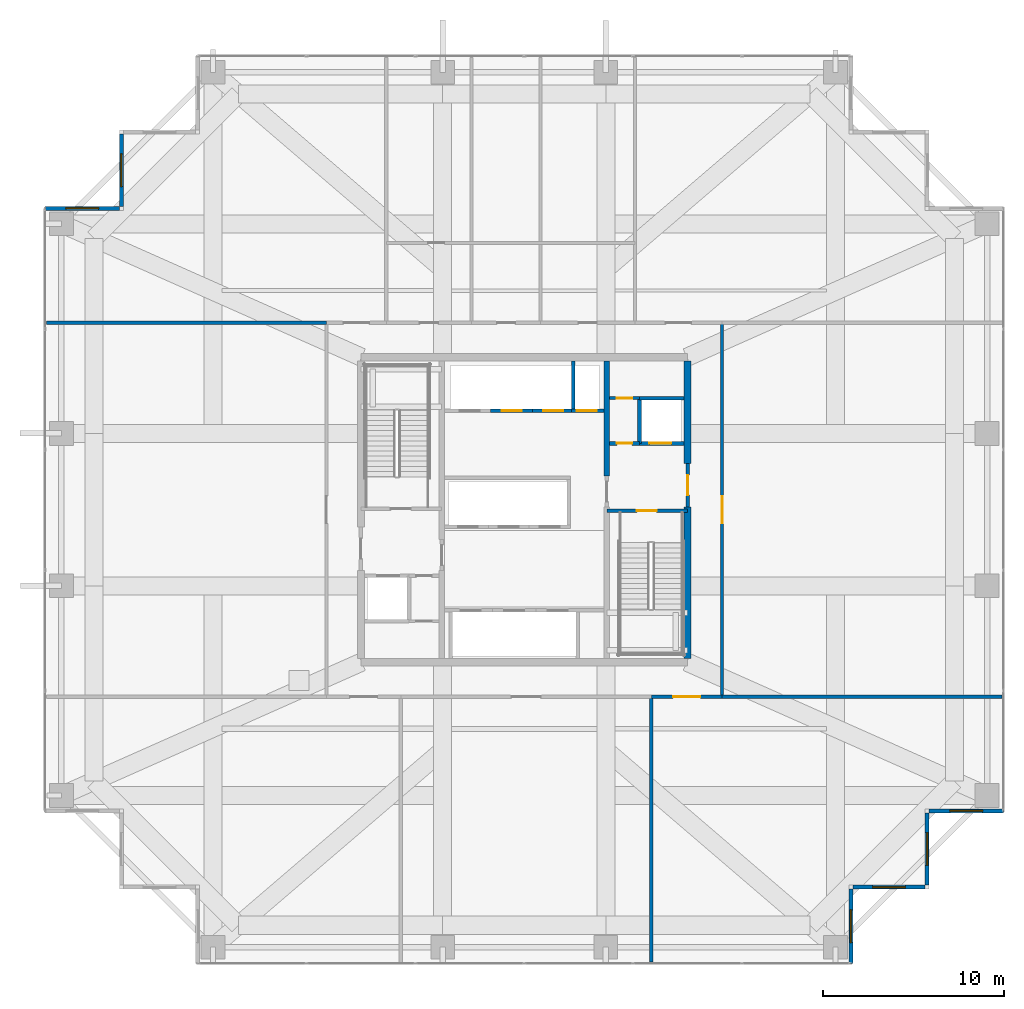
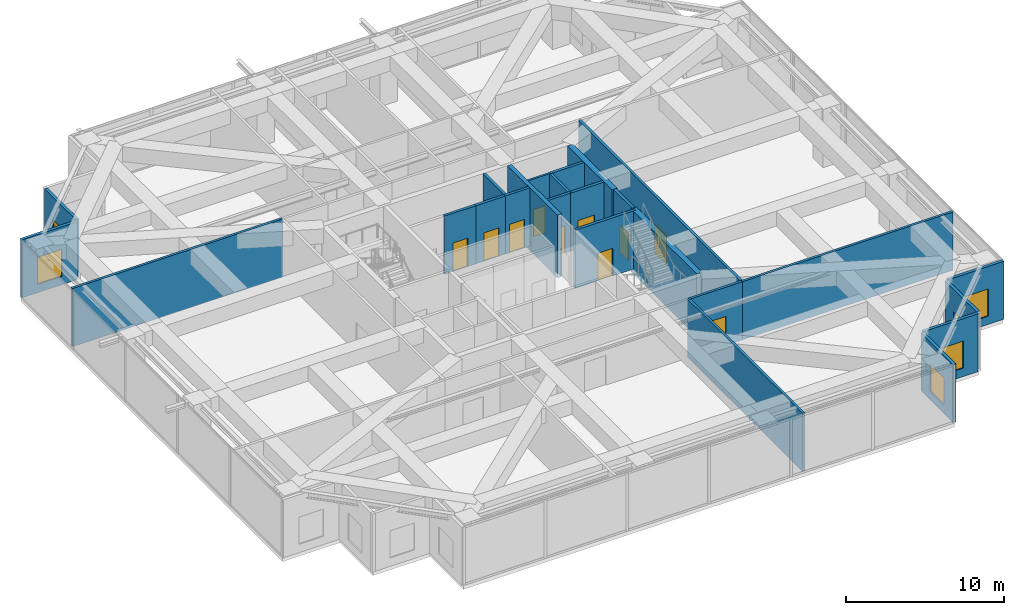
# One storey, part 29 of 35: 25 walls, 10 doors, 6 windows, 16 openings.
"""IFC4 building model written with IfcOpenShell, lengths in metres."""

import ifcopenshell
import ifcopenshell.guid

model = None  # the IFC model being written
_history = None  # IfcOwnerHistory: only IFC2X3 demands one
_inside = {}  # id of a spatial element -> (the spatial element, [elements in it])
_under = {}  # id of a project, library or spatial element -> (it, [spatial elements below it])
_declared = {}  # id of a project -> (the project, [libraries it declares])
_typed = {}  # id of a type object -> (the type object, [elements of that type])
_made_of = {}  # id of a material, layer set ... -> (it, [elements and type objects made of it])


def new_model(schema):
    """Start an empty IFC model of exactly this schema.

    Asked for "IFC4X3", IfcOpenShell would pick the latest addendum, in which some entities
    have other attributes; the version numbers below select the first issue.
    IFC2X3 requires an IfcOwnerHistory on every rooted entity: one is made here for all.
    """
    global model, _history
    if schema == "IFC4X3":
        model = ifcopenshell.file(schema_version=(4, 3, 0, 0))
    else:
        model = ifcopenshell.file(schema=schema)
    _inside.clear()
    _under.clear()
    _declared.clear()
    _typed.clear()
    _made_of.clear()
    _history = None
    if model.schema == "IFC2X3":
        org = make("IfcOrganization", Name="unknown")
        user = make(
            "IfcPersonAndOrganization",
            ThePerson=make("IfcPerson", FamilyName="unknown"),
            TheOrganization=org,
        )
        app = make(
            "IfcApplication",
            ApplicationDeveloper=org,
            Version="unknown",
            ApplicationFullName="unknown",
            ApplicationIdentifier="unknown",
        )
        _history = make(
            "IfcOwnerHistory",
            OwningUser=user,
            OwningApplication=app,
            ChangeAction="ADDED",
            CreationDate=0,
        )
    return model


def make(cls, **values):
    """One entity of the class cls with the attributes given. An attribute that is None is left unset."""
    return model.create_entity(
        cls, **{name: value for name, value in values.items() if value is not None}
    )


def rooted(cls, **values):
    """An entity with a GlobalId (a new one), such as an element, a storey or a relation."""
    return make(cls, GlobalId=ifcopenshell.guid.new(), OwnerHistory=_history, **values)


def si_unit(unit_type, name, prefix=None):
    """IfcSIUnit, for example si_unit("LENGTHUNIT", "METRE", prefix="MILLI")."""
    return make("IfcSIUnit", UnitType=unit_type, Prefix=prefix, Name=name)


def assignment(units):
    """IfcUnitAssignment: the units of a project."""
    return None if units is None else make("IfcUnitAssignment", Units=units)


def point(xyz):
    """IfcCartesianPoint."""
    return None if xyz is None else make("IfcCartesianPoint", Coordinates=xyz)


def direction(xyz):
    """IfcDirection."""
    return None if xyz is None else make("IfcDirection", DirectionRatios=xyz)


def frame(location, z_axis=None, x_axis=None):
    """IfcAxis2Placement3D, a coordinate frame: its origin and axes. An axis left out is left unset."""
    return make(
        "IfcAxis2Placement3D",
        Location=point(location),
        Axis=direction(z_axis),
        RefDirection=direction(x_axis),
    )


def frame_2d(location, x_axis=None):
    """IfcAxis2Placement2D, a coordinate frame in the plane: its origin and x axis."""
    return make(
        "IfcAxis2Placement2D", Location=point(location), RefDirection=direction(x_axis)
    )


def origin():
    """The frame at (0, 0, 0) with its axes left unset."""
    return frame((0.0, 0.0, 0.0))


def place(relative_to, where):
    """IfcLocalPlacement: puts the frame where relative to a parent placement (None: the world)."""
    return make(
        "IfcLocalPlacement", PlacementRelTo=relative_to, RelativePlacement=where
    )


def context(
    kind, dimensions, precision=None, world=None, true_north=None, identifier=None
):
    """IfcGeometricRepresentationContext, for example the 3D "Model" context."""
    return make(
        "IfcGeometricRepresentationContext",
        ContextIdentifier=identifier,
        ContextType=kind,
        CoordinateSpaceDimension=dimensions,
        Precision=precision,
        WorldCoordinateSystem=world,
        TrueNorth=true_north,
    )


def subcontext(parent, identifier, kind, view, scale=None):
    """IfcGeometricRepresentationSubContext, for example "Body" below "Model"."""
    return make(
        "IfcGeometricRepresentationSubContext",
        ContextIdentifier=identifier,
        ContextType=kind,
        ParentContext=parent,
        TargetScale=scale,
        TargetView=view,
    )


def project(units=None, contexts=None):
    """IfcProject with its units and contexts."""
    return rooted(
        "IfcProject",
        Name="project",
        RepresentationContexts=contexts,
        UnitsInContext=assignment(units),
    )


def spatial(cls, under=None, at=None, **own):
    """A site, building, storey or space (cls), placed at a placement, below another one or the project."""
    s = rooted(cls, ObjectPlacement=at, **own)
    if under is not None:
        _under.setdefault(under.id(), (under, []))[1].append(s)
    return s


def profile(cls, at=None, kind="AREA", **sizes):
    """A parametric profile (cls). Its sizes go by their IFC names, for example OverallWidth=200.0."""
    return make(cls, ProfileType=kind, Position=at, **sizes)


def rectangle(**sizes):
    """IfcRectangleProfileDef."""
    return profile("IfcRectangleProfileDef", **sizes)


def extrude(swept, where, along, depth):
    """IfcExtrudedAreaSolid: the profile swept, set in the frame where, extruded along a direction by depth."""
    return make(
        "IfcExtrudedAreaSolid",
        SweptArea=swept,
        Position=where,
        ExtrudedDirection=direction(along),
        Depth=depth,
    )


def shape(context_of_items, identifier, shape_type, items):
    """IfcShapeRepresentation: the items that make up one representation, for example the "Body"."""
    return make(
        "IfcShapeRepresentation",
        ContextOfItems=context_of_items,
        RepresentationIdentifier=identifier,
        RepresentationType=shape_type,
        Items=items,
    )


def source(mapping_origin, context_of_items, identifier, shape_type, items):
    """IfcRepresentationMap: a shape defined once, which mapped items show again and again."""
    return make(
        "IfcRepresentationMap",
        MappingOrigin=mapping_origin,
        MappedRepresentation=shape(context_of_items, identifier, shape_type, items),
    )


def transform(
    local_origin,
    x_axis=None,
    y_axis=None,
    z_axis=None,
    scale=None,
    scale2=None,
    scale3=None,
    uniform=True,
):
    """IfcCartesianTransformationOperator3D, or its non-uniform kind. x_axis, y_axis, z_axis: its Axis1, 2, 3."""
    if uniform:
        return make(
            "IfcCartesianTransformationOperator3D",
            Axis1=direction(x_axis),
            Axis2=direction(y_axis),
            LocalOrigin=point(local_origin),
            Scale=scale,
            Axis3=direction(z_axis),
        )
    return make(
        "IfcCartesianTransformationOperator3DnonUniform",
        Axis1=direction(x_axis),
        Axis2=direction(y_axis),
        LocalOrigin=point(local_origin),
        Scale=scale,
        Axis3=direction(z_axis),
        Scale2=scale2,
        Scale3=scale3,
    )


def mapped(mapping_source, mapping_target):
    """IfcMappedItem: shows the shape of a source again, moved by a transform."""
    return make(
        "IfcMappedItem", MappingSource=mapping_source, MappingTarget=mapping_target
    )


def material(Name=None, Category=None):
    """IfcMaterial."""
    return make("IfcMaterial", Name=Name, Category=Category)


def layer(
    of_material, thickness, ventilated=None, Name=None, Category=None, Priority=None
):
    """IfcMaterialLayer: one layer of a wall or slab, of a material (None: an air gap)."""
    return make(
        "IfcMaterialLayer",
        Material=of_material,
        LayerThickness=thickness,
        IsVentilated=ventilated,
        Name=Name,
        Category=Category,
        Priority=Priority,
    )


def layer_set(layers, Name=None):
    """IfcMaterialLayerSet."""
    return make("IfcMaterialLayerSet", MaterialLayers=layers, LayerSetName=Name)


def made_of(thing, what):
    """Note that an element or type object is made of a material, layer set ...; save() writes the relation."""
    if what is not None:
        _made_of.setdefault(what.id(), (what, []))[1].append(thing)
    return thing


def type_object(cls, material=None, **own):
    """A type object (cls), such as IfcWallType, which elements share."""
    return made_of(rooted(cls, **own), material)


def element(
    cls,
    number,
    at=None,
    inside=None,
    cuts=None,
    type_object=None,
    material=None,
    context=None,
    identifier="Body",
    shape_type=None,
    held_by="IfcProductDefinitionShape",
    body=None,
    shapes=None,
    **own,
):
    """One element of the class cls, such as IfcWall. Its Tag is "e" and its number.

    at: its placement. inside: the storey or other place that contains it. cuts: it is an
    opening in that element (IfcRelVoidsElement). A single representation is given by context,
    identifier, shape_type and body (its items); several are given by shapes. held_by: the class
    of the entity that holds the representations. save() writes the other relations.
    """
    e = rooted(cls, Tag="e%d" % number, ObjectPlacement=at, **own)
    if body is not None:
        shapes = [shape(context, identifier, shape_type, body)]
    if shapes is not None:
        e.Representation = make(held_by, Representations=shapes)
    if inside is not None:
        _inside.setdefault(inside.id(), (inside, []))[1].append(e)
    if cuts is not None:
        rooted(
            "IfcRelVoidsElement", RelatingBuildingElement=cuts, RelatedOpeningElement=e
        )
    if type_object is not None:
        _typed.setdefault(type_object.id(), (type_object, []))[1].append(e)
    return made_of(e, material)


def fill(opening, filler):
    """IfcRelFillsElement: the door or window that sits in an opening."""
    return rooted(
        "IfcRelFillsElement",
        RelatingOpeningElement=opening,
        RelatedBuildingElement=filler,
    )


def aggregate(whole, parts):
    """IfcRelAggregates: a whole, such as a stair, and the parts it consists of."""
    return rooted("IfcRelAggregates", RelatingObject=whole, RelatedObjects=parts)


def save(model, path):
    """Write the relations noted so far, then the file.

    IfcRelAggregates (storeys below a building ...), IfcRelContainedInSpatialStructure (elements
    in a storey), IfcRelDefinesByType, IfcRelAssociatesMaterial and IfcRelDeclares: one each for
    every whole, place, type object, material and project.
    """
    for whole, parts in _under.values():
        aggregate(whole, parts)
    for where, things in _inside.values():
        rooted(
            "IfcRelContainedInSpatialStructure",
            RelatedElements=things,
            RelatingStructure=where,
        )
    for kind, things in _typed.values():
        rooted("IfcRelDefinesByType", RelatedObjects=things, RelatingType=kind)
    for what, things in _made_of.values():
        rooted("IfcRelAssociatesMaterial", RelatedObjects=things, RelatingMaterial=what)
    for by, libraries in _declared.values():
        rooted("IfcRelDeclares", RelatingContext=by, RelatedDefinitions=libraries)
    model.write(path)


model = new_model("IFC4")

# Units and contexts
model_context = context("Model", 3, precision=1e-05, world=origin(), true_north=direction((0.0, 1.0)))
body_context = subcontext(model_context, "Body", "Model", "MODEL_VIEW")
ifc_project = project(units=[si_unit("LENGTHUNIT", "METRE"), si_unit("AREAUNIT", "SQUARE_METRE"), si_unit("VOLUMEUNIT", "CUBIC_METRE"), si_unit("PLANEANGLEUNIT", "RADIAN"), si_unit("MASSUNIT", "GRAM", prefix="KILO")], contexts=[model_context])

# Site, building, storey
site_placement = place(None, origin())
site = spatial("IfcSite", under=ifc_project, at=site_placement, CompositionType="ELEMENT")
building_placement = place(site_placement, origin())
building = spatial("IfcBuilding", under=site, at=building_placement, Name="Serunith Strait Residences", CompositionType="ELEMENT")
storey_placement = place(building_placement, frame((0.0, 0.0, 115.199951171875)))
storey = spatial("IfcBuildingStorey", under=building, at=storey_placement, Name="L28", CompositionType="ELEMENT", Elevation=115.199951171875)

# Wall, opening, window
ifc_material_1 = material(Name="Pale-Champagne Aluminium Insulated Panel", Category="aluminium")
ifc_layer_1 = layer(ifc_material_1, 0.219970703125, Name="Pale-Champagne Aluminium Insulated Panel")
ifc_layer_set_1 = layer_set([ifc_layer_1], Name="Pale-Champagne Aluminium Insulated Panel")
wall_type_1 = type_object("IfcWallType", Name="EW-ALUM-220", PredefinedType="ELEMENTEDWALL", material=ifc_layer_set_1)
wall_1_placement = place(storey_placement, frame((50.39990234375, 0.199951171875, 0.0), z_axis=(0.0, 0.0, 1.0), x_axis=(0.0, 1.0, 0.0)))
wall_1 = element("IfcWall", 1, at=wall_1_placement, inside=storey, type_object=wall_type_1, Name="L28 Girih Serrated Corner Wall 02", PredefinedType="ELEMENTEDWALL", context=body_context, shape_type="SweptSolid", body=[
    extrude(rectangle(XDim=4.090087890625, YDim=0.219970703125, at=frame_2d((2.044921875, 0.0))), origin(), (0.0, 0.0, 1.0), 4.4951171875),
])
opening_1_placement = place(wall_1_placement, frame((1.14501953125, 0.0, 0.64990234375)))
opening_1 = element("IfcOpeningElement", 2, at=opening_1_placement, cuts=wall_1, Name="Opening W-01", PredefinedType="OPENING", context=body_context, shape_type="SweptSolid", body=[
    extrude(rectangle(XDim=1.800048828125, YDim=2.10009765625, at=frame_2d((0.89990234375, 1.050048828125))), frame((0.0, 0.1201171875, 0.0), z_axis=(0.0, -1.0, 0.0), x_axis=(1.0, 0.0, 0.0)), (0.0, 0.0, 1.0), 0.239990234375),
])
ifc_material_2 = material(Name="Ceramic-Fritted Operable Aluminium Window Glass", Category="aluminium")
window_type = type_object("IfcWindowType", Name="WIN-C1", PartitioningType="DOUBLE_PANEL_VERTICAL", PredefinedType="WINDOW", material=ifc_material_2)
shared_shape_1 = source(origin(), body_context, "Body", "SweptSolid", [
    extrude(rectangle(XDim=1.800048828125, YDim=2.10009765625, at=frame_2d((0.89990234375, 1.050048828125))), frame((0.0, 0.030029296875, 0.0), z_axis=(0.0, -1.0, 0.0), x_axis=(1.0, 0.0, 0.0)), (0.0, 0.0, 1.0), 0.06005859375),
])
window_1_placement = place(opening_1_placement, origin())
window_1 = element("IfcWindow", 3, at=window_1_placement, inside=storey, type_object=window_type, Name="L28 Corner Operable Fritted Window 02", OverallHeight=2.10009765625, OverallWidth=1.800048828125, PartitioningType="SINGLE_PANEL", PredefinedType="WINDOW", context=body_context, shape_type="MappedRepresentation", body=[
    mapped(shared_shape_1, transform((0.0, 0.0, 0.0), scale=1.0)),
])
fill(opening_1, window_1)

wall_2_placement = place(storey_placement, frame((50.510009765625, 4.39990234375, 0.0), z_axis=(0.0, 0.0, 1.0), x_axis=(1.0, 0.0, 0.0)))
wall_2 = element("IfcWall", 4, at=wall_2_placement, inside=storey, type_object=wall_type_1, Name="L28 Girih Serrated Corner Wall 03", PredefinedType="ELEMENTEDWALL", context=body_context, shape_type="SweptSolid", body=[
    extrude(rectangle(XDim=3.97998046875, YDim=0.219970703125, at=frame_2d((1.989990234375, 0.0))), origin(), (0.0, 0.0, 1.0), 4.4951171875),
])
opening_2_placement = place(wall_2_placement, frame((1.090087890625, 0.0, 0.64990234375)))
opening_2 = element("IfcOpeningElement", 5, at=opening_2_placement, cuts=wall_2, Name="Opening W-01", PredefinedType="OPENING", context=body_context, shape_type="SweptSolid", body=[
    extrude(rectangle(XDim=1.800048828125, YDim=2.10009765625, at=frame_2d((0.89990234375, 1.050048828125))), frame((0.0, 0.1201171875, 0.0), z_axis=(0.0, -1.0, 0.0), x_axis=(1.0, 0.0, 0.0)), (0.0, 0.0, 1.0), 0.239990234375),
])
window_2_placement = place(opening_2_placement, origin())
window_2 = element("IfcWindow", 6, at=window_2_placement, inside=storey, type_object=window_type, Name="L28 Corner Operable Fritted Window 03", OverallHeight=2.10009765625, OverallWidth=1.800048828125, PartitioningType="SINGLE_PANEL", PredefinedType="WINDOW", context=body_context, shape_type="MappedRepresentation", body=[
    mapped(shared_shape_1, transform((0.0, 0.0, 0.0), scale=1.0)),
])
fill(opening_2, window_2)

wall_3_placement = place(storey_placement, frame((54.60009765625, 4.510009765625, 0.0), z_axis=(0.0, 0.0, 1.0), x_axis=(0.0, 1.0, 0.0)))
wall_3 = element("IfcWall", 7, at=wall_3_placement, inside=storey, type_object=wall_type_1, Name="L28 Girih Serrated Corner Wall 04", PredefinedType="ELEMENTEDWALL", context=body_context, shape_type="SweptSolid", body=[
    extrude(rectangle(XDim=3.97998046875, YDim=0.219970703125, at=frame_2d((1.989990234375, 0.0))), origin(), (0.0, 0.0, 1.0), 4.4951171875),
])
opening_3_placement = place(wall_3_placement, frame((1.090087890625, 0.0, 0.64990234375)))
opening_3 = element("IfcOpeningElement", 8, at=opening_3_placement, cuts=wall_3, Name="Opening W-01", PredefinedType="OPENING", context=body_context, shape_type="SweptSolid", body=[
    extrude(rectangle(XDim=1.800048828125, YDim=2.10009765625, at=frame_2d((0.89990234375, 1.050048828125))), frame((0.0, 0.1201171875, 0.0), z_axis=(0.0, -1.0, 0.0), x_axis=(1.0, 0.0, 0.0)), (0.0, 0.0, 1.0), 0.239990234375),
])
window_3_placement = place(opening_3_placement, origin())
window_3 = element("IfcWindow", 9, at=window_3_placement, inside=storey, type_object=window_type, Name="L28 Corner Operable Fritted Window 04", OverallHeight=2.10009765625, OverallWidth=1.800048828125, PartitioningType="SINGLE_PANEL", PredefinedType="WINDOW", context=body_context, shape_type="MappedRepresentation", body=[
    mapped(shared_shape_1, transform((0.0, 0.0, 0.0), scale=1.0)),
])
fill(opening_3, window_3)

wall_4_placement = place(storey_placement, frame((54.7099609375, 8.60009765625, 0.0), z_axis=(0.0, 0.0, 1.0), x_axis=(1.0, 0.0, 0.0)))
wall_4 = element("IfcWall", 10, at=wall_4_placement, inside=storey, type_object=wall_type_1, Name="L28 Girih Serrated Corner Wall 05", PredefinedType="ELEMENTEDWALL", context=body_context, shape_type="SweptSolid", body=[
    extrude(rectangle(XDim=4.090087890625, YDim=0.219970703125, at=frame_2d((2.044921875, 0.0))), origin(), (0.0, 0.0, 1.0), 4.4951171875),
])
opening_4_placement = place(wall_4_placement, frame((1.14501953125, 0.0, 0.64990234375)))
opening_4 = element("IfcOpeningElement", 11, at=opening_4_placement, cuts=wall_4, Name="Opening W-01", PredefinedType="OPENING", context=body_context, shape_type="SweptSolid", body=[
    extrude(rectangle(XDim=1.800048828125, YDim=2.10009765625, at=frame_2d((0.89990234375, 1.050048828125))), frame((0.0, 0.1201171875, 0.0), z_axis=(0.0, -1.0, 0.0), x_axis=(1.0, 0.0, 0.0)), (0.0, 0.0, 1.0), 0.239990234375),
])
window_4_placement = place(opening_4_placement, origin())
window_4 = element("IfcWindow", 12, at=window_4_placement, inside=storey, type_object=window_type, Name="L28 Corner Operable Fritted Window 05", OverallHeight=2.10009765625, OverallWidth=1.800048828125, PartitioningType="SINGLE_PANEL", PredefinedType="WINDOW", context=body_context, shape_type="MappedRepresentation", body=[
    mapped(shared_shape_1, transform((0.0, 0.0, 0.0), scale=1.0)),
])
fill(opening_4, window_4)

wall_5_placement = place(storey_placement, frame((10.199951171875, 45.889892578125, 0.0), z_axis=(0.0, 0.0, 1.0), x_axis=(0.0, -1.0, 0.0)))
wall_5 = element("IfcWall", 13, at=wall_5_placement, inside=storey, type_object=wall_type_1, Name="L28 Girih Serrated Corner Wall 14", PredefinedType="ELEMENTEDWALL", context=body_context, shape_type="SweptSolid", body=[
    extrude(rectangle(XDim=3.97998046875, YDim=0.219970703125, at=frame_2d((1.989990234375, 0.0))), origin(), (0.0, 0.0, 1.0), 4.4951171875),
])
opening_5_placement = place(wall_5_placement, frame((1.090087890625, 0.0, 0.64990234375)))
opening_5 = element("IfcOpeningElement", 14, at=opening_5_placement, cuts=wall_5, Name="Opening W-01", PredefinedType="OPENING", context=body_context, shape_type="SweptSolid", body=[
    extrude(rectangle(XDim=1.800048828125, YDim=2.10009765625, at=frame_2d((0.89990234375, 1.050048828125))), frame((0.0, 0.1201171875, 0.0), z_axis=(0.0, -1.0, 0.0), x_axis=(1.0, 0.0, 0.0)), (0.0, 0.0, 1.0), 0.239990234375),
])
window_5_placement = place(opening_5_placement, origin())
window_5 = element("IfcWindow", 15, at=window_5_placement, inside=storey, type_object=window_type, Name="L28 Corner Operable Fritted Window 14", OverallHeight=2.10009765625, OverallWidth=1.800048828125, PartitioningType="SINGLE_PANEL", PredefinedType="WINDOW", context=body_context, shape_type="MappedRepresentation", body=[
    mapped(shared_shape_1, transform((0.0, 0.0, 0.0), scale=1.0)),
])
fill(opening_5, window_5)

wall_6_placement = place(storey_placement, frame((10.090087890625, 41.800048828125, 0.0), z_axis=(0.0, 0.0, 1.0), x_axis=(-1.0, 0.0, 0.0)))
wall_6 = element("IfcWall", 16, at=wall_6_placement, inside=storey, type_object=wall_type_1, Name="L28 Girih Serrated Corner Wall 15", PredefinedType="ELEMENTEDWALL", context=body_context, shape_type="SweptSolid", body=[
    extrude(rectangle(XDim=4.090087890625, YDim=0.219970703125, at=frame_2d((2.044921875, 0.0))), origin(), (0.0, 0.0, 1.0), 4.4951171875),
])
opening_6_placement = place(wall_6_placement, frame((1.14501953125, 0.0, 0.64990234375)))
opening_6 = element("IfcOpeningElement", 17, at=opening_6_placement, cuts=wall_6, Name="Opening W-01", PredefinedType="OPENING", context=body_context, shape_type="SweptSolid", body=[
    extrude(rectangle(XDim=1.800048828125, YDim=2.10009765625, at=frame_2d((0.89990234375, 1.050048828125))), frame((0.0, 0.1201171875, 0.0), z_axis=(0.0, -1.0, 0.0), x_axis=(1.0, 0.0, 0.0)), (0.0, 0.0, 1.0), 0.239990234375),
])
window_6_placement = place(opening_6_placement, origin())
window_6 = element("IfcWindow", 18, at=window_6_placement, inside=storey, type_object=window_type, Name="L28 Corner Operable Fritted Window 15", OverallHeight=2.10009765625, OverallWidth=1.800048828125, PartitioningType="SINGLE_PANEL", PredefinedType="WINDOW", context=body_context, shape_type="MappedRepresentation", body=[
    mapped(shared_shape_1, transform((0.0, 0.0, 0.0), scale=1.0)),
])
fill(opening_6, window_6)

# Wall, opening, door
ifc_material_3 = material(Name="Fire-rated masonry service closet wall", Category="masonry")
ifc_layer_2 = layer(ifc_material_3, 0.14990234375, Name="Fire-rated masonry service closet wall")
ifc_layer_set_2 = layer_set([ifc_layer_2], Name="Fire-rated masonry service closet wall")
wall_type_2 = type_object("IfcWallType", Name="IW-BOH-150", PredefinedType="PARTITIONING", material=ifc_layer_set_2)
wall_7_placement = place(storey_placement, frame((37.10009765625, 31.35009765625, 0.0), z_axis=(0.0, 0.0, 1.0), x_axis=(1.0, 0.0, 0.0)))
wall_7 = element("IfcWall", 19, at=wall_7_placement, inside=storey, type_object=wall_type_2, Name="L28 Partition Wall 013", PredefinedType="PARTITIONING", context=body_context, shape_type="SweptSolid", body=[
    extrude(rectangle(XDim=1.64794921875, YDim=0.14990234375, at=frame_2d((0.823974609375, 0.0))), origin(), (0.0, 0.0, 1.0), 4.510009765625),
])
opening_7_placement = place(wall_7_placement, frame((0.39892578125, 0.0, 0.0)))
opening_7 = element("IfcOpeningElement", 20, at=opening_7_placement, cuts=wall_7, Name="Opening FD-850", PredefinedType="OPENING", context=body_context, shape_type="SweptSolid", body=[
    extrude(rectangle(XDim=0.85009765625, YDim=2.10009765625, at=frame_2d((0.425048828125, 1.050048828125))), frame((0.0, 0.0849609375, 0.0), z_axis=(0.0, -1.0, 0.0), x_axis=(1.0, 0.0, 0.0)), (0.0, 0.0, 1.0), 0.169921875),
])
ifc_material_4 = material(Name="Powder-coated steel service closet door", Category="steel")
door_type_1 = type_object("IfcDoorType", Name="FD-BOH-850", OperationType="NOTDEFINED", PredefinedType="DOOR", material=ifc_material_4)
shared_shape_2 = source(origin(), body_context, "Body", "SweptSolid", [
    extrude(rectangle(XDim=0.85009765625, YDim=2.10009765625, at=frame_2d((0.425048828125, 1.050048828125))), frame((0.0, 0.02490234375, 0.0), z_axis=(0.0, -1.0, 0.0), x_axis=(1.0, 0.0, 0.0)), (0.0, 0.0, 1.0), 0.050048828125),
])
door_1_placement = place(opening_7_placement, origin())
door_1 = element("IfcDoor", 21, at=door_1_placement, inside=storey, type_object=door_type_1, Name="L28 Refuse Store Door", OperationType="SINGLE_SWING_LEFT", OverallHeight=2.10009765625, OverallWidth=0.85009765625, PredefinedType="DOOR", context=body_context, shape_type="MappedRepresentation", body=[
    mapped(shared_shape_2, transform((0.0, 0.0, 0.0), scale=1.0)),
])
fill(opening_7, door_1)

# Walls
ifc_material_5 = material(Name="Fire-rated acoustic gypsum partition")
ifc_layer_3 = layer(ifc_material_5, 0.179931640625, Name="Fire-rated acoustic gypsum partition")
ifc_layer_set_3 = layer_set([ifc_layer_3], Name="Fire-rated acoustic gypsum partition")
wall_type_3 = type_object("IfcWallType", Name="IW-CORR-180", PredefinedType="PARTITIONING", material=ifc_layer_set_3)
for number, where, z_axis, x_axis, name in (
    (22, (43.300048828125, 14.89990234375, 0.0), (0.0, 0.0, 1.0), (1.0, 0.0, 0.0), "L28 Partition Wall 015"),
    (23, (6.08203125, 35.5, 0.0), (0.0, 0.0, 1.0), (1.0, 0.0, 0.0), "L28 Partition Wall 016"),
):
    element("IfcWall", number, at=place(storey_placement, frame(where, z_axis=z_axis, x_axis=x_axis)), inside=storey, type_object=wall_type_3, Name=name, PredefinedType="PARTITIONING", context=body_context, shape_type="SweptSolid", body=[
        extrude(rectangle(XDim=15.41796875, YDim=0.179931640625, at=frame_2d((7.708984375, 0.0))), origin(), (0.0, 0.0, 1.0), 4.510009765625),
    ])

# Wall, opening, door
wall_8_placement = place(storey_placement, frame((43.300048828125, 14.89990234375, 0.0), z_axis=(0.0, 0.0, 1.0), x_axis=(0.0, 1.0, 0.0)))
wall_8 = element("IfcWall", 24, at=wall_8_placement, inside=storey, type_object=wall_type_3, Name="L28 Partition Wall 019", PredefinedType="PARTITIONING", context=body_context, shape_type="SweptSolid", body=[
    extrude(rectangle(XDim=20.60009765625, YDim=0.179931640625, at=frame_2d((10.300048828125, 0.0))), origin(), (0.0, 0.0, 1.0), 4.510009765625),
])
opening_8_placement = place(wall_8_placement, frame((9.550048828125, 0.0, 0.0)))
opening_8 = element("IfcOpeningElement", 25, at=opening_8_placement, cuts=wall_8, Name="Opening D-POD1500", PredefinedType="OPENING", context=body_context, shape_type="SweptSolid", body=[
    extrude(rectangle(XDim=1.5, YDim=2.25, at=frame_2d((0.75, 1.125))), frame((0.0, 0.10009765625, 0.0), z_axis=(0.0, -1.0, 0.0), x_axis=(1.0, 0.0, 0.0)), (0.0, 0.0, 1.0), 0.199951171875),
])
ifc_material_6 = material(Name="Pale-champagne aluminium glazed double door", Category="aluminium")
door_type_2 = type_object("IfcDoorType", Name="ID-POD-1500", OperationType="DOUBLE_DOOR_SINGLE_SWING", PredefinedType="DOOR", material=ifc_material_6)
shared_shape_3 = source(origin(), body_context, "Body", "SweptSolid", [
    extrude(rectangle(XDim=1.5, YDim=2.25, at=frame_2d((0.75, 1.125))), frame((0.0, 0.02490234375, 0.0), z_axis=(0.0, -1.0, 0.0), x_axis=(1.0, 0.0, 0.0)), (0.0, 0.0, 1.0), 0.050048828125),
])
door_2_placement = place(opening_8_placement, origin())
door_2 = element("IfcDoor", 26, at=door_2_placement, inside=storey, type_object=door_type_2, Name="L28 East Wing Suite Door", OperationType="DOUBLE_DOOR_SINGLE_SWING", OverallHeight=2.25, OverallWidth=1.5, PredefinedType="DOOR", context=body_context, shape_type="MappedRepresentation", body=[
    mapped(shared_shape_3, transform((0.0, 0.0, 0.0), scale=1.0)),
])
fill(opening_8, door_2)

# Wall
wall_9_placement = place(storey_placement, frame((39.39990234375, 0.281982421875, 0.0), z_axis=(0.0, 0.0, 1.0), x_axis=(0.0, 1.0, 0.0)))
element("IfcWall", 27, at=wall_9_placement, inside=storey, type_object=wall_type_3, Name="L28 Partition Wall 021", PredefinedType="PARTITIONING", context=body_context, shape_type="SweptSolid", body=[
    extrude(rectangle(XDim=14.617919921875, YDim=0.179931640625, at=frame_2d((7.30908203125, 0.0))), origin(), (0.0, 0.0, 1.0), 4.510009765625),
])

# Wall, opening, door
wall_10_placement = place(storey_placement, frame((39.402099609375, 14.89990234375, 0.0), z_axis=(0.0, 0.0, 1.0), x_axis=(1.0, 0.0, 0.0)))
wall_10 = element("IfcWall", 28, at=wall_10_placement, inside=storey, type_object=wall_type_3, Name="L28 Partition Wall 028", PredefinedType="PARTITIONING", context=body_context, shape_type="SweptSolid", body=[
    extrude(rectangle(XDim=3.89599609375, YDim=0.179931640625, at=frame_2d((1.947998046875, 0.0))), origin(), (0.0, 0.0, 1.0), 4.510009765625),
])
opening_9_placement = place(wall_10_placement, frame((1.197998046875, 0.0, 0.0)))
opening_9 = element("IfcOpeningElement", 29, at=opening_9_placement, cuts=wall_10, Name="Opening D-POD1500", PredefinedType="OPENING", context=body_context, shape_type="SweptSolid", body=[
    extrude(rectangle(XDim=1.5, YDim=2.25, at=frame_2d((0.75, 1.125))), frame((0.0, 0.10009765625, 0.0), z_axis=(0.0, -1.0, 0.0), x_axis=(1.0, 0.0, 0.0)), (0.0, 0.0, 1.0), 0.199951171875),
])
door_3_placement = place(opening_9_placement, origin())
door_3 = element("IfcDoor", 30, at=door_3_placement, inside=storey, type_object=door_type_2, Name="L28 South-East Suite Door", OperationType="DOUBLE_DOOR_SINGLE_SWING", OverallHeight=2.25, OverallWidth=1.5, PredefinedType="DOOR", context=body_context, shape_type="MappedRepresentation", body=[
    mapped(shared_shape_3, transform((0.0, 0.0, 0.0), scale=1.0)),
])
fill(opening_9, door_3)

ifc_material_7 = material(Name="Autoclaved aerated concrete blockwork", Category="masonry")
ifc_layer_4 = layer(ifc_material_7, 0.199951171875, Name="Autoclaved aerated concrete blockwork")
ifc_layer_set_4 = layer_set([ifc_layer_4], Name="Autoclaved aerated concrete blockwork")
wall_type_4 = type_object("IfcWallType", Name="IW-SHAFT-200", PredefinedType="STANDARD", material=ifc_layer_set_4)
wall_11_placement = place(storey_placement, frame((36.949951171875, 25.14990234375, 0.0), z_axis=(0.0, 0.0, 1.0), x_axis=(1.0, 0.0, 0.0)))
wall_11 = element("IfcWall", 31, at=wall_11_placement, inside=storey, type_object=wall_type_4, Name="L28 ST-2 North Shaft Wall", PredefinedType="STANDARD", context=body_context, shape_type="SweptSolid", body=[
    extrude(rectangle(XDim=4.449951171875, YDim=0.199951171875, at=frame_2d((2.22509765625, 0.0))), origin(), (0.0, 0.0, 1.0), 4.510009765625),
])
opening_10_placement = place(wall_11_placement, frame((1.64990234375, 0.0, 0.0)))
opening_10 = element("IfcOpeningElement", 32, at=opening_10_placement, cuts=wall_11, Name="Opening FD-1100", PredefinedType="OPENING", context=body_context, shape_type="SweptSolid", body=[
    extrude(rectangle(XDim=1.10009765625, YDim=2.14990234375, at=frame_2d((0.550048828125, 1.074951171875))), frame((0.0, 0.10986328125, 0.0), z_axis=(0.0, -1.0, 0.0), x_axis=(1.0, 0.0, 0.0)), (0.0, 0.0, 1.0), 0.219970703125),
])
ifc_material_8 = material(Name="Galvanised steel fire door leaf", Category="steel")
door_type_3 = type_object("IfcDoorType", Name="FD-STAIR-1100", OperationType="NOTDEFINED", PredefinedType="DOOR", material=ifc_material_8)
shared_shape_4 = source(origin(), body_context, "Body", "SweptSolid", [
    extrude(rectangle(XDim=1.10009765625, YDim=2.14990234375, at=frame_2d((0.550048828125, 1.074951171875))), frame((0.0, 0.02490234375, 0.0), z_axis=(0.0, -1.0, 0.0), x_axis=(1.0, 0.0, 0.0)), (0.0, 0.0, 1.0), 0.050048828125),
])
door_4_placement = place(opening_10_placement, origin())
door_4 = element("IfcDoor", 33, at=door_4_placement, inside=storey, type_object=door_type_3, Name="L28 ST-2 Escape Stair Door", OperationType="SINGLE_SWING_LEFT", OverallHeight=2.14990234375, OverallWidth=1.10009765625, PredefinedType="DOOR", context=body_context, shape_type="MappedRepresentation", body=[
    mapped(shared_shape_4, transform((0.0, 0.0, 0.0), scale=1.0)),
])
fill(opening_10, door_4)

wall_12_placement = place(storey_placement, frame((38.75, 28.85009765625, 0.0), z_axis=(0.0, 0.0, 1.0), x_axis=(1.0, 0.0, 0.0)))
wall_12 = element("IfcWall", 34, at=wall_12_placement, inside=storey, type_object=wall_type_4, Name="L28 FL-2 South Shaft Wall", PredefinedType="STANDARD", context=body_context, shape_type="SweptSolid", body=[
    extrude(rectangle(XDim=2.449951171875, YDim=0.199951171875, at=frame_2d((1.22509765625, 0.0))), origin(), (0.0, 0.0, 1.0), 4.510009765625),
])
opening_11_placement = place(wall_12_placement, frame((0.550048828125, 0.0, 0.0)))
opening_11 = element("IfcOpeningElement", 35, at=opening_11_placement, cuts=wall_12, Name="Opening LD-FF1200", PredefinedType="OPENING", context=body_context, shape_type="SweptSolid", body=[
    extrude(rectangle(XDim=1.199951171875, YDim=2.199951171875, at=frame_2d((0.60009765625, 1.10009765625))), frame((0.0, 0.10986328125, 0.0), z_axis=(0.0, -1.0, 0.0), x_axis=(1.0, 0.0, 0.0)), (0.0, 0.0, 1.0), 0.219970703125),
])
ifc_material_9 = material(Name="Brushed stainless steel landing door", Category="steel")
door_type_4 = type_object("IfcDoorType", Name="LD-FF-1200", OperationType="DOUBLE_DOOR_SLIDING", PredefinedType="DOOR", material=ifc_material_9)
shared_shape_5 = source(origin(), body_context, "Body", "SweptSolid", [
    extrude(rectangle(XDim=1.199951171875, YDim=2.199951171875, at=frame_2d((0.60009765625, 1.10009765625))), frame((0.0, 0.02490234375, 0.0), z_axis=(0.0, -1.0, 0.0), x_axis=(1.0, 0.0, 0.0)), (0.0, 0.0, 1.0), 0.050048828125),
])
door_5_placement = place(opening_11_placement, origin())
door_5 = element("IfcDoor", 36, at=door_5_placement, inside=storey, type_object=door_type_4, Name="L28 FL-2 Landing Door", OperationType="DOUBLE_DOOR_SLIDING", OverallHeight=2.199951171875, OverallWidth=1.199951171875, PredefinedType="DOOR", context=body_context, shape_type="MappedRepresentation", body=[
    mapped(shared_shape_5, transform((0.0, 0.0, 0.0), scale=1.0)),
])
fill(opening_11, door_5)

wall_13_placement = place(storey_placement, frame((30.550048828125, 30.64990234375, 0.0), z_axis=(0.0, 0.0, 1.0), x_axis=(1.0, 0.0, 0.0)))
wall_13 = element("IfcWall", 37, at=wall_13_placement, inside=storey, type_object=wall_type_4, Name="L28 PL-8 South Shaft Wall", PredefinedType="STANDARD", context=body_context, shape_type="SweptSolid", body=[
    extrude(rectangle(XDim=2.300048828125, YDim=0.199951171875, at=frame_2d((1.14990234375, 0.0))), origin(), (0.0, 0.0, 1.0), 4.510009765625),
])
opening_12_placement = place(wall_13_placement, frame((0.60009765625, 0.0, 0.0)))
opening_12 = element("IfcOpeningElement", 38, at=opening_12_placement, cuts=wall_13, Name="Opening LD-1100", PredefinedType="OPENING", context=body_context, shape_type="SweptSolid", body=[
    extrude(rectangle(XDim=1.10009765625, YDim=2.199951171875, at=frame_2d((0.550048828125, 1.10009765625))), frame((0.0, 0.10986328125, 0.0), z_axis=(0.0, -1.0, 0.0), x_axis=(1.0, 0.0, 0.0)), (0.0, 0.0, 1.0), 0.219970703125),
])
ifc_material_10 = material(Name="Pale-champagne stainless landing door")
door_type_5 = type_object("IfcDoorType", Name="LD-LIFT-1100", OperationType="DOUBLE_DOOR_SLIDING", PredefinedType="DOOR", material=ifc_material_10)
shared_shape_6 = source(origin(), body_context, "Body", "SweptSolid", [
    extrude(rectangle(XDim=1.10009765625, YDim=2.199951171875, at=frame_2d((0.550048828125, 1.10009765625))), frame((0.0, 0.02490234375, 0.0), z_axis=(0.0, -1.0, 0.0), x_axis=(1.0, 0.0, 0.0)), (0.0, 0.0, 1.0), 0.050048828125),
])
door_6_placement = place(opening_12_placement, origin())
door_6 = element("IfcDoor", 39, at=door_6_placement, inside=storey, type_object=door_type_5, Name="L28 PL-8 Landing Door", OperationType="DOUBLE_DOOR_SLIDING", OverallHeight=2.199951171875, OverallWidth=1.10009765625, PredefinedType="DOOR", context=body_context, shape_type="MappedRepresentation", body=[
    mapped(shared_shape_6, transform((0.0, 0.0, 0.0), scale=1.0)),
])
fill(opening_12, door_6)

wall_14_placement = place(storey_placement, frame((32.85009765625, 30.64990234375, 0.0), z_axis=(0.0, 0.0, 1.0), x_axis=(1.0, 0.0, 0.0)))
wall_14 = element("IfcWall", 40, at=wall_14_placement, inside=storey, type_object=wall_type_4, Name="L28 PL-9 South Shaft Wall", PredefinedType="STANDARD", context=body_context, shape_type="SweptSolid", body=[
    extrude(rectangle(XDim=2.14990234375, YDim=0.199951171875, at=frame_2d((1.074951171875, 0.0))), origin(), (0.0, 0.0, 1.0), 4.510009765625),
])
opening_13_placement = place(wall_14_placement, frame((0.60009765625, 0.0, 0.0)))
opening_13 = element("IfcOpeningElement", 41, at=opening_13_placement, cuts=wall_14, Name="Opening LD-1100", PredefinedType="OPENING", context=body_context, shape_type="SweptSolid", body=[
    extrude(rectangle(XDim=1.10009765625, YDim=2.199951171875, at=frame_2d((0.550048828125, 1.10009765625))), frame((0.0, 0.10986328125, 0.0), z_axis=(0.0, -1.0, 0.0), x_axis=(1.0, 0.0, 0.0)), (0.0, 0.0, 1.0), 0.219970703125),
])
door_7_placement = place(opening_13_placement, origin())
door_7 = element("IfcDoor", 42, at=door_7_placement, inside=storey, type_object=door_type_5, Name="L28 PL-9 Landing Door", OperationType="DOUBLE_DOOR_SLIDING", OverallHeight=2.199951171875, OverallWidth=1.10009765625, PredefinedType="DOOR", context=body_context, shape_type="MappedRepresentation", body=[
    mapped(shared_shape_6, transform((0.0, 0.0, 0.0), scale=1.0)),
])
fill(opening_13, door_7)

wall_15_placement = place(storey_placement, frame((35.0, 30.64990234375, 0.0), z_axis=(0.0, 0.0, 1.0), x_axis=(1.0, 0.0, 0.0)))
wall_15 = element("IfcWall", 43, at=wall_15_placement, inside=storey, type_object=wall_type_4, Name="L28 SL-1 South Shaft Wall", PredefinedType="STANDARD", context=body_context, shape_type="SweptSolid", body=[
    extrude(rectangle(XDim=1.800048828125, YDim=0.199951171875, at=frame_2d((0.89990234375, 0.0))), origin(), (0.0, 0.0, 1.0), 4.510009765625),
])
opening_14_placement = place(wall_15_placement, frame((0.300048828125, 0.0, 0.0)))
opening_14 = element("IfcOpeningElement", 44, at=opening_14_placement, cuts=wall_15, Name="Opening LD-1100", PredefinedType="OPENING", context=body_context, shape_type="SweptSolid", body=[
    extrude(rectangle(XDim=1.10009765625, YDim=2.199951171875, at=frame_2d((0.550048828125, 1.10009765625))), frame((0.0, 0.10986328125, 0.0), z_axis=(0.0, -1.0, 0.0), x_axis=(1.0, 0.0, 0.0)), (0.0, 0.0, 1.0), 0.219970703125),
])
door_8_placement = place(opening_14_placement, origin())
door_8 = element("IfcDoor", 45, at=door_8_placement, inside=storey, type_object=door_type_5, Name="L28 SL-1 Landing Door", OperationType="DOUBLE_DOOR_SLIDING", OverallHeight=2.199951171875, OverallWidth=1.10009765625, PredefinedType="DOOR", context=body_context, shape_type="MappedRepresentation", body=[
    mapped(shared_shape_6, transform((0.0, 0.0, 0.0), scale=1.0)),
])
fill(opening_14, door_8)

# Walls
wall_16_placement = place(storey_placement, frame((35.10009765625, 30.75, 0.0), z_axis=(0.0, 0.0, 1.0), x_axis=(0.0, 1.0, 0.0)))
element("IfcWall", 46, at=wall_16_placement, inside=storey, type_object=wall_type_4, Name="L28 SL-1 West Shaft Wall", PredefinedType="STANDARD", context=body_context, shape_type="SweptSolid", body=[
    extrude(rectangle(XDim=2.64990234375, YDim=0.199951171875, at=frame_2d((1.324951171875, 0.0))), origin(), (0.0, 0.0, 1.0), 4.510009765625),
])
wall_17_placement = place(storey_placement, frame((38.75, 28.85009765625, 0.0), z_axis=(0.0, 0.0, 1.0), x_axis=(0.0, 1.0, 0.0)))
element("IfcWall", 47, at=wall_17_placement, inside=storey, type_object=wall_type_4, Name="L28 Partition Wall 004", PredefinedType="STANDARD", context=body_context, shape_type="SweptSolid", body=[
    extrude(rectangle(XDim=2.5, YDim=0.199951171875, at=frame_2d((1.25, 0.0))), origin(), (0.0, 0.0, 1.0), 4.510009765625),
])
wall_18_placement = place(storey_placement, frame((38.75, 31.35009765625, 0.0), z_axis=(0.0, 0.0, 1.0), x_axis=(1.0, 0.0, 0.0)))
element("IfcWall", 48, at=wall_18_placement, inside=storey, type_object=wall_type_4, Name="L28 Partition Wall 005", PredefinedType="STANDARD", context=body_context, shape_type="SweptSolid", body=[
    extrude(rectangle(XDim=2.449951171875, YDim=0.199951171875, at=frame_2d((1.22509765625, 0.0))), origin(), (0.0, 0.0, 1.0), 4.510009765625),
])

# Wall, opening, door
wall_19_placement = place(storey_placement, frame((37.10009765625, 28.85009765625, 0.0), z_axis=(0.0, 0.0, 1.0), x_axis=(1.0, 0.0, 0.0)))
wall_19 = element("IfcWall", 49, at=wall_19_placement, inside=storey, type_object=wall_type_4, Name="L28 Partition Wall 006", PredefinedType="STANDARD", context=body_context, shape_type="SweptSolid", body=[
    extrude(rectangle(XDim=1.64794921875, YDim=0.199951171875, at=frame_2d((0.823974609375, 0.0))), origin(), (0.0, 0.0, 1.0), 4.510009765625),
])
opening_15_placement = place(wall_19_placement, frame((0.39892578125, 0.0, 0.0)))
opening_15 = element("IfcOpeningElement", 50, at=opening_15_placement, cuts=wall_19, Name="Opening FD-850", PredefinedType="OPENING", context=body_context, shape_type="SweptSolid", body=[
    extrude(rectangle(XDim=0.85009765625, YDim=2.10009765625, at=frame_2d((0.425048828125, 1.050048828125))), frame((0.0, 0.10986328125, 0.0), z_axis=(0.0, -1.0, 0.0), x_axis=(1.0, 0.0, 0.0)), (0.0, 0.0, 1.0), 0.219970703125),
])
door_9_placement = place(opening_15_placement, origin())
door_9 = element("IfcDoor", 51, at=door_9_placement, inside=storey, type_object=door_type_1, Name="L28 North-East Core Service Door", OperationType="SINGLE_SWING_LEFT", OverallHeight=2.10009765625, OverallWidth=0.85009765625, PredefinedType="DOOR", context=body_context, shape_type="MappedRepresentation", body=[
    mapped(shared_shape_2, transform((0.0, 0.0, 0.0), scale=1.0)),
])
fill(opening_15, door_9)

wall_20_placement = place(storey_placement, frame((41.39990234375, 25.35205078125, 0.0), z_axis=(0.0, 0.0, 1.0), x_axis=(0.0, 1.0, 0.0)))
wall_20 = element("IfcWall", 52, at=wall_20_placement, inside=storey, type_object=wall_type_4, Name="L28 Partition Wall 008", PredefinedType="STANDARD", context=body_context, shape_type="SweptSolid", body=[
    extrude(rectangle(XDim=2.39599609375, YDim=0.199951171875, at=frame_2d((1.197998046875, 0.0))), origin(), (0.0, 0.0, 1.0), 4.510009765625),
])
opening_16_placement = place(wall_20_placement, frame((0.64794921875, 0.0, 0.0)))
opening_16 = element("IfcOpeningElement", 53, at=opening_16_placement, cuts=wall_20, Name="Opening FD-FFL", PredefinedType="OPENING", context=body_context, shape_type="SweptSolid", body=[
    extrude(rectangle(XDim=1.10009765625, YDim=2.14990234375, at=frame_2d((0.550048828125, 1.074951171875))), frame((0.0, 0.10986328125, 0.0), z_axis=(0.0, -1.0, 0.0), x_axis=(1.0, 0.0, 0.0)), (0.0, 0.0, 1.0), 0.219970703125),
])
ifc_material_11 = material(Name="Glazed steel smoke-lobby fire door", Category="steel")
door_type_6 = type_object("IfcDoorType", Name="FD-FFL-1100", OperationType="NOTDEFINED", PredefinedType="DOOR", material=ifc_material_11)
door_10_placement = place(opening_16_placement, origin())
door_10 = element("IfcDoor", 54, at=door_10_placement, inside=storey, type_object=door_type_6, Name="L28 FFL-2 Corridor Fire Door", OperationType="SINGLE_SWING_LEFT", OverallHeight=2.14990234375, OverallWidth=1.10009765625, PredefinedType="DOOR", context=body_context, shape_type="MappedRepresentation", body=[
    mapped(shared_shape_4, transform((0.0, 0.0, 0.0), scale=1.0)),
])
fill(opening_16, door_10)

# Walls
ifc_material_12 = material(Name="Concrete C70/85", Category="concrete")
ifc_layer_5 = layer(ifc_material_12, 0.300048828125, Name="Concrete C70/85")
ifc_layer_set_5 = layer_set([ifc_layer_5], Name="Concrete C70/85")
wall_type_5 = type_object("IfcWallType", Name="SW-300-C70", PredefinedType="SHEAR", material=ifc_layer_set_5)
wall_21_placement = place(storey_placement, frame((36.949951171875, 27.050048828125, -0.35986328125), z_axis=(0.0, 0.0, 1.0), x_axis=(0.0, 1.0, 0.0)))
element("IfcWall", 55, at=wall_21_placement, inside=storey, type_object=wall_type_5, Name="L28 Core Internal East Web North Pier", PredefinedType="SHEAR", context=body_context, shape_type="SweptSolid", body=[
    extrude(rectangle(XDim=6.349853515625, YDim=0.300048828125, at=frame_2d((3.1748046875, 0.0))), origin(), (0.0, 0.0, 1.0), 4.867919921875),
])
ifc_layer_6 = layer(ifc_material_12, 0.39990234375, Name="Concrete C70/85")
ifc_layer_set_6 = layer_set([ifc_layer_6], Name="Concrete C70/85")
wall_type_6 = type_object("IfcWallType", Name="SW-400-C70", PredefinedType="SHEAR", material=ifc_layer_set_6)
wall_22_placement = place(storey_placement, frame((41.39990234375, 17.0, -0.35986328125), z_axis=(0.0, 0.0, 1.0), x_axis=(0.0, 1.0, 0.0)))
element("IfcWall", 56, at=wall_22_placement, inside=storey, type_object=wall_type_6, Name="L28 Core East Shear Wall South Pier", PredefinedType="SHEAR", context=body_context, shape_type="SweptSolid", body=[
    extrude(rectangle(XDim=8.35009765625, YDim=0.39990234375, at=frame_2d((4.175048828125, 0.0))), origin(), (0.0, 0.0, 1.0), 4.867919921875),
])
wall_23_placement = place(storey_placement, frame((41.39990234375, 27.75, -0.35986328125), z_axis=(0.0, 0.0, 1.0), x_axis=(0.0, 1.0, 0.0)))
element("IfcWall", 57, at=wall_23_placement, inside=storey, type_object=wall_type_6, Name="L28 Core East Shear Wall North Pier", PredefinedType="SHEAR", context=body_context, shape_type="SweptSolid", body=[
    extrude(rectangle(XDim=5.64990234375, YDim=0.39990234375, at=frame_2d((2.824951171875, 0.0))), origin(), (0.0, 0.0, 1.0), 4.867919921875),
])

save(model, "model.ifc")
